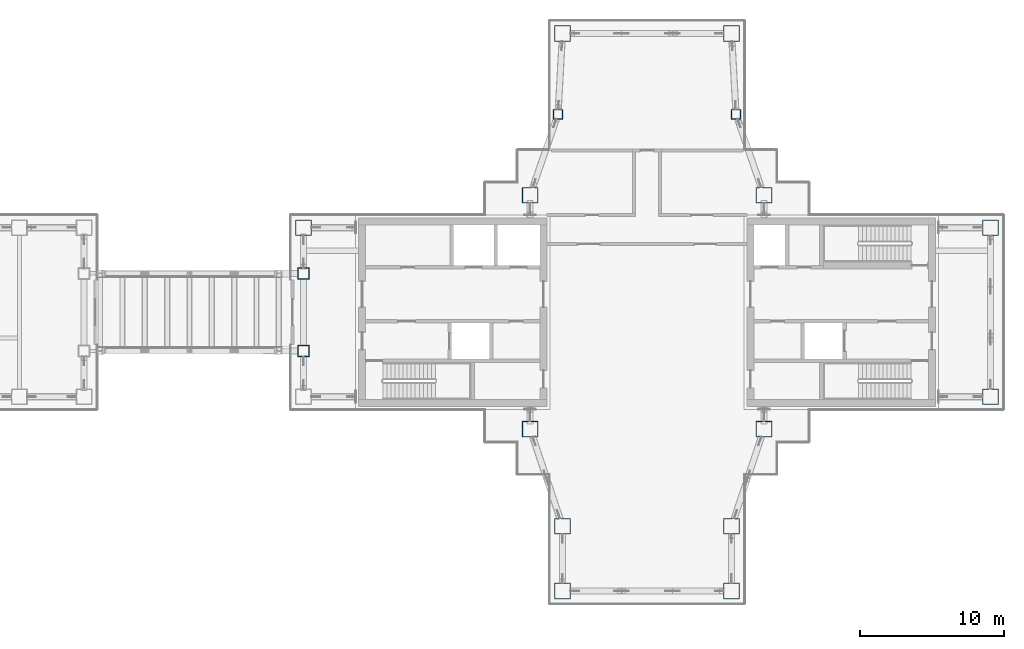
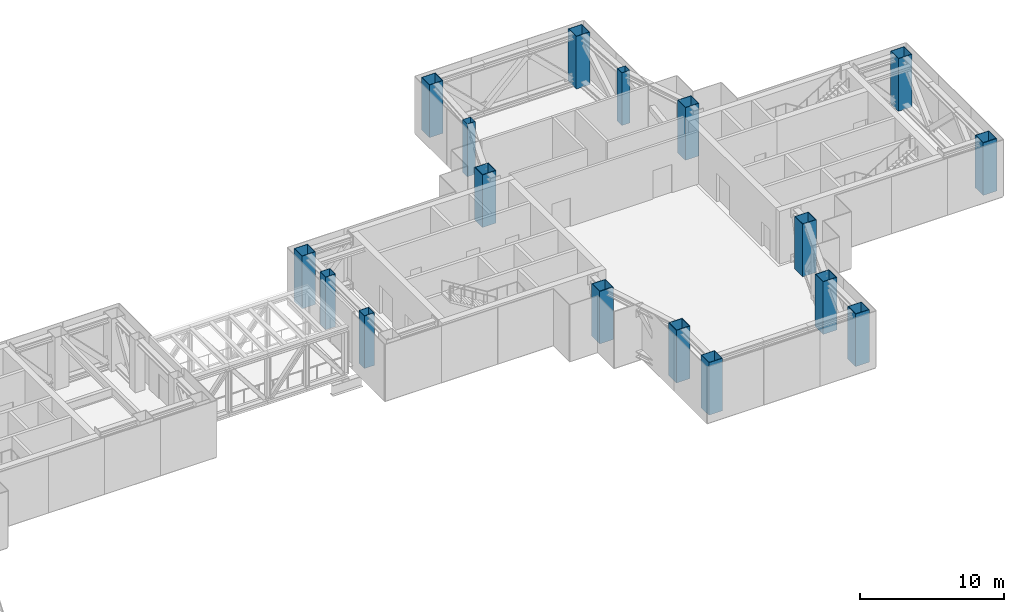
# One storey, part 2 of 21: 17 columns.
"""IFC4 building model written with IfcOpenShell, lengths in metres."""

import ifcopenshell
import ifcopenshell.guid

model = None  # the IFC model being written
_history = None  # IfcOwnerHistory: only IFC2X3 demands one
_inside = {}  # id of a spatial element -> (the spatial element, [elements in it])
_under = {}  # id of a project, library or spatial element -> (it, [spatial elements below it])
_declared = {}  # id of a project -> (the project, [libraries it declares])
_typed = {}  # id of a type object -> (the type object, [elements of that type])
_made_of = {}  # id of a material, layer set ... -> (it, [elements and type objects made of it])


def new_model(schema):
    """Start an empty IFC model of exactly this schema.

    Asked for "IFC4X3", IfcOpenShell would pick the latest addendum, in which some entities
    have other attributes; the version numbers below select the first issue.
    IFC2X3 requires an IfcOwnerHistory on every rooted entity: one is made here for all.
    """
    global model, _history
    if schema == "IFC4X3":
        model = ifcopenshell.file(schema_version=(4, 3, 0, 0))
    else:
        model = ifcopenshell.file(schema=schema)
    _inside.clear()
    _under.clear()
    _declared.clear()
    _typed.clear()
    _made_of.clear()
    _history = None
    if model.schema == "IFC2X3":
        org = make("IfcOrganization", Name="unknown")
        user = make(
            "IfcPersonAndOrganization",
            ThePerson=make("IfcPerson", FamilyName="unknown"),
            TheOrganization=org,
        )
        app = make(
            "IfcApplication",
            ApplicationDeveloper=org,
            Version="unknown",
            ApplicationFullName="unknown",
            ApplicationIdentifier="unknown",
        )
        _history = make(
            "IfcOwnerHistory",
            OwningUser=user,
            OwningApplication=app,
            ChangeAction="ADDED",
            CreationDate=0,
        )
    return model


def make(cls, **values):
    """One entity of the class cls with the attributes given. An attribute that is None is left unset."""
    return model.create_entity(
        cls, **{name: value for name, value in values.items() if value is not None}
    )


def rooted(cls, **values):
    """An entity with a GlobalId (a new one), such as an element, a storey or a relation."""
    return make(cls, GlobalId=ifcopenshell.guid.new(), OwnerHistory=_history, **values)


def si_unit(unit_type, name, prefix=None):
    """IfcSIUnit, for example si_unit("LENGTHUNIT", "METRE", prefix="MILLI")."""
    return make("IfcSIUnit", UnitType=unit_type, Prefix=prefix, Name=name)


def assignment(units):
    """IfcUnitAssignment: the units of a project."""
    return None if units is None else make("IfcUnitAssignment", Units=units)


def point(xyz):
    """IfcCartesianPoint."""
    return None if xyz is None else make("IfcCartesianPoint", Coordinates=xyz)


def direction(xyz):
    """IfcDirection."""
    return None if xyz is None else make("IfcDirection", DirectionRatios=xyz)


def frame(location, z_axis=None, x_axis=None):
    """IfcAxis2Placement3D, a coordinate frame: its origin and axes. An axis left out is left unset."""
    return make(
        "IfcAxis2Placement3D",
        Location=point(location),
        Axis=direction(z_axis),
        RefDirection=direction(x_axis),
    )


def frame_2d(location, x_axis=None):
    """IfcAxis2Placement2D, a coordinate frame in the plane: its origin and x axis."""
    return make(
        "IfcAxis2Placement2D", Location=point(location), RefDirection=direction(x_axis)
    )


def origin():
    """The frame at (0, 0, 0) with its axes left unset."""
    return frame((0.0, 0.0, 0.0))


def origin_2d():
    """The frame at (0, 0) in the plane with its x axis left unset."""
    return frame_2d((0.0, 0.0))


def place(relative_to, where):
    """IfcLocalPlacement: puts the frame where relative to a parent placement (None: the world)."""
    return make(
        "IfcLocalPlacement", PlacementRelTo=relative_to, RelativePlacement=where
    )


def context(
    kind, dimensions, precision=None, world=None, true_north=None, identifier=None
):
    """IfcGeometricRepresentationContext, for example the 3D "Model" context."""
    return make(
        "IfcGeometricRepresentationContext",
        ContextIdentifier=identifier,
        ContextType=kind,
        CoordinateSpaceDimension=dimensions,
        Precision=precision,
        WorldCoordinateSystem=world,
        TrueNorth=true_north,
    )


def subcontext(parent, identifier, kind, view, scale=None):
    """IfcGeometricRepresentationSubContext, for example "Body" below "Model"."""
    return make(
        "IfcGeometricRepresentationSubContext",
        ContextIdentifier=identifier,
        ContextType=kind,
        ParentContext=parent,
        TargetScale=scale,
        TargetView=view,
    )


def project(units=None, contexts=None):
    """IfcProject with its units and contexts."""
    return rooted(
        "IfcProject",
        Name="project",
        RepresentationContexts=contexts,
        UnitsInContext=assignment(units),
    )


def spatial(cls, under=None, at=None, **own):
    """A site, building, storey or space (cls), placed at a placement, below another one or the project."""
    s = rooted(cls, ObjectPlacement=at, **own)
    if under is not None:
        _under.setdefault(under.id(), (under, []))[1].append(s)
    return s


def profile(cls, at=None, kind="AREA", **sizes):
    """A parametric profile (cls). Its sizes go by their IFC names, for example OverallWidth=200.0."""
    return make(cls, ProfileType=kind, Position=at, **sizes)


def hollow_rectangle(**sizes):
    """IfcRectangleHollowProfileDef."""
    return profile("IfcRectangleHollowProfileDef", **sizes)


def extrude(swept, where, along, depth):
    """IfcExtrudedAreaSolid: the profile swept, set in the frame where, extruded along a direction by depth."""
    return make(
        "IfcExtrudedAreaSolid",
        SweptArea=swept,
        Position=where,
        ExtrudedDirection=direction(along),
        Depth=depth,
    )


def shape(context_of_items, identifier, shape_type, items):
    """IfcShapeRepresentation: the items that make up one representation, for example the "Body"."""
    return make(
        "IfcShapeRepresentation",
        ContextOfItems=context_of_items,
        RepresentationIdentifier=identifier,
        RepresentationType=shape_type,
        Items=items,
    )


def material(Name=None, Category=None):
    """IfcMaterial."""
    return make("IfcMaterial", Name=Name, Category=Category)


def material_profile(
    of_material, cross_section, Name=None, Category=None, Priority=None
):
    """IfcMaterialProfile: a cross section and its material."""
    return make(
        "IfcMaterialProfile",
        Name=Name,
        Material=of_material,
        Profile=cross_section,
        Priority=Priority,
        Category=Category,
    )


def profile_set(profiles, Name=None, composite=None):
    """IfcMaterialProfileSet."""
    return make(
        "IfcMaterialProfileSet",
        Name=Name,
        MaterialProfiles=profiles,
        CompositeProfile=composite,
    )


def made_of(thing, what):
    """Note that an element or type object is made of a material, layer set ...; save() writes the relation."""
    if what is not None:
        _made_of.setdefault(what.id(), (what, []))[1].append(thing)
    return thing


def type_object(cls, material=None, **own):
    """A type object (cls), such as IfcWallType, which elements share."""
    return made_of(rooted(cls, **own), material)


def element(
    cls,
    number,
    at=None,
    inside=None,
    cuts=None,
    type_object=None,
    material=None,
    context=None,
    identifier="Body",
    shape_type=None,
    held_by="IfcProductDefinitionShape",
    body=None,
    shapes=None,
    **own,
):
    """One element of the class cls, such as IfcWall. Its Tag is "e" and its number.

    at: its placement. inside: the storey or other place that contains it. cuts: it is an
    opening in that element (IfcRelVoidsElement). A single representation is given by context,
    identifier, shape_type and body (its items); several are given by shapes. held_by: the class
    of the entity that holds the representations. save() writes the other relations.
    """
    e = rooted(cls, Tag="e%d" % number, ObjectPlacement=at, **own)
    if body is not None:
        shapes = [shape(context, identifier, shape_type, body)]
    if shapes is not None:
        e.Representation = make(held_by, Representations=shapes)
    if inside is not None:
        _inside.setdefault(inside.id(), (inside, []))[1].append(e)
    if cuts is not None:
        rooted(
            "IfcRelVoidsElement", RelatingBuildingElement=cuts, RelatedOpeningElement=e
        )
    if type_object is not None:
        _typed.setdefault(type_object.id(), (type_object, []))[1].append(e)
    return made_of(e, material)


def aggregate(whole, parts):
    """IfcRelAggregates: a whole, such as a stair, and the parts it consists of."""
    return rooted("IfcRelAggregates", RelatingObject=whole, RelatedObjects=parts)


def save(model, path):
    """Write the relations noted so far, then the file.

    IfcRelAggregates (storeys below a building ...), IfcRelContainedInSpatialStructure (elements
    in a storey), IfcRelDefinesByType, IfcRelAssociatesMaterial and IfcRelDeclares: one each for
    every whole, place, type object, material and project.
    """
    for whole, parts in _under.values():
        aggregate(whole, parts)
    for where, things in _inside.values():
        rooted(
            "IfcRelContainedInSpatialStructure",
            RelatedElements=things,
            RelatingStructure=where,
        )
    for kind, things in _typed.values():
        rooted("IfcRelDefinesByType", RelatedObjects=things, RelatingType=kind)
    for what, things in _made_of.values():
        rooted("IfcRelAssociatesMaterial", RelatedObjects=things, RelatingMaterial=what)
    for by, libraries in _declared.values():
        rooted("IfcRelDeclares", RelatingContext=by, RelatedDefinitions=libraries)
    model.write(path)


model = new_model("IFC4")

# Units and contexts
model_context = context("Model", 3, precision=1e-05, world=origin(), true_north=direction((0.0, 1.0)))
body_context = subcontext(model_context, "Body", "Model", "MODEL_VIEW")
ifc_project = project(units=[si_unit("LENGTHUNIT", "METRE"), si_unit("AREAUNIT", "SQUARE_METRE"), si_unit("VOLUMEUNIT", "CUBIC_METRE"), si_unit("PLANEANGLEUNIT", "RADIAN"), si_unit("MASSUNIT", "GRAM", prefix="KILO")], contexts=[model_context])

# Site, building, storey
site_placement = place(None, origin())
site = spatial("IfcSite", under=ifc_project, at=site_placement, CompositionType="ELEMENT")
building_placement = place(site_placement, origin())
building = spatial("IfcBuilding", under=site, at=building_placement, Name="Shamsa Quay Exchange Towers", CompositionType="ELEMENT")
storey_placement = place(building_placement, frame((0.0, 0.0, 177.89990234375)))
storey = spatial("IfcBuildingStorey", under=building, at=storey_placement, Name="L42", CompositionType="ELEMENT", Elevation=177.89990234375)

# Columns
ifc_material_1 = material(Name="Concrete-filled steel tube S355 / C80/95", Category="concrete")
ifc_material_profile_1 = material_profile(ifc_material_1, hollow_rectangle(XDim=1.10009765625, YDim=1.10009765625, WallThickness=0.0400390625, at=origin_2d()), Name="CFT 1100x1100x40")
ifc_profile_set_1 = profile_set([ifc_material_profile_1], Name="Concrete-filled steel tube S355 / C80/95")
column_type_1 = type_object("IfcColumnType", Name="Column CFT 1100x1100x40", PredefinedType="COLUMN", material=ifc_profile_set_1)
for number, where, name in (
    (1, (25.625, 8.125, 0.0), "Mega column T2-CM01"),
    (2, (41.875, 8.125, 0.0), "Mega column T2-CM02"),
    (3, (25.625, -8.125, 0.0), "Mega column T2-CM03"),
    (4, (41.875, -8.125, 0.0), "Mega column T2-CM04"),
    (5, (39.625, 19.375, 0.0), "Mega column T2-CM06"),
    (6, (27.875, 19.375, 0.0), "Mega column T2-CM10"),
    (7, (39.625, -14.875, 0.0), "Mega column T2-CM13"),
    (8, (39.625, -19.375, 0.0), "Mega column T2-CM14"),
    (9, (27.875, -14.875, 0.0), "Mega column T2-CM16"),
    (10, (27.875, -19.375, 0.0), "Mega column T2-CM17"),
    (11, (9.875, 5.875, 0.0), "Mega column T2-CM20"),
    (12, (57.625, -5.875, 0.0), "Mega column T2-CM21"),
    (13, (57.625, 5.875, 0.0), "Mega column T2-CM23"),
):
    element("IfcColumn", number, at=place(storey_placement, frame(where)), inside=storey, type_object=column_type_1, Name=name, PredefinedType="COLUMN", context=body_context, shape_type="SweptSolid", body=[
        extrude(hollow_rectangle(XDim=1.10009765625, YDim=1.10009765625, WallThickness=0.0400390625, at=origin_2d()), origin(), (0.0, 0.0, 1.0), 4.4501953125),
    ])
ifc_material_2 = material(Name="Concrete-filled steel tube S355 / C60/75", Category="concrete")
ifc_material_profile_2 = material_profile(ifc_material_2, hollow_rectangle(XDim=0.64990234375, YDim=0.64990234375, WallThickness=0.02001953125, at=origin_2d()), Name="CFT 650x650x20")
ifc_profile_set_2 = profile_set([ifc_material_profile_2], Name="Concrete-filled steel tube S355 / C60/75")
column_type_2 = type_object("IfcColumnType", Name="Column CFT 650x650x20", PredefinedType="COLUMN", material=ifc_profile_set_2)
for number, where, name in (
    (14, (39.9375, 13.75, 0.0), "Perimeter column T2-CP05"),
    (15, (27.5625, 13.75, 0.0), "Perimeter column T2-CP09"),
):
    element("IfcColumn", number, at=place(storey_placement, frame(where)), inside=storey, type_object=column_type_2, Name=name, PredefinedType="COLUMN", context=body_context, shape_type="SweptSolid", body=[
        extrude(hollow_rectangle(XDim=0.64990234375, YDim=0.64990234375, WallThickness=0.02001953125, at=origin_2d()), origin(), (0.0, 0.0, 1.0), 4.4501953125),
    ])
ifc_material_3 = material(Name="Concrete-filled steel tube S355 / C70/85", Category="concrete")
ifc_material_profile_3 = material_profile(ifc_material_3, hollow_rectangle(XDim=0.800048828125, YDim=0.800048828125, WallThickness=0.030029296875, at=origin_2d()), Name="CFT 800x800x30")
ifc_profile_set_3 = profile_set([ifc_material_profile_3], Name="Concrete-filled steel tube S355 / C70/85")
column_type_3 = type_object("IfcColumnType", Name="Landing column CFT 800x800x30", PredefinedType="COLUMN", material=ifc_profile_set_3)
for number, where, name in (
    (16, (9.875, -2.699951171875, 0.0), "Landing column T2 S"),
    (17, (9.875, 2.699951171875, 0.0), "Landing column T2 N"),
):
    element("IfcColumn", number, at=place(storey_placement, frame(where)), inside=storey, type_object=column_type_3, Name=name, PredefinedType="COLUMN", context=body_context, shape_type="SweptSolid", body=[
        extrude(hollow_rectangle(XDim=0.800048828125, YDim=0.800048828125, WallThickness=0.030029296875, at=origin_2d()), origin(), (0.0, 0.0, 1.0), 4.4501953125),
    ])

save(model, "model.ifc")
